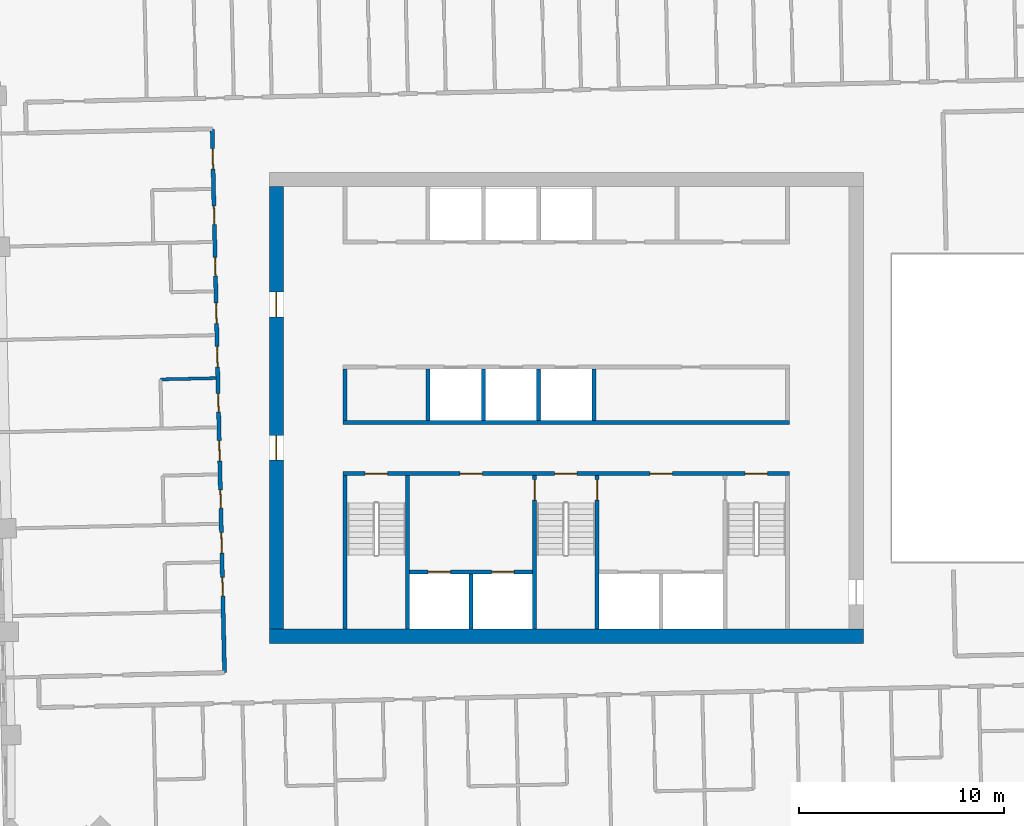
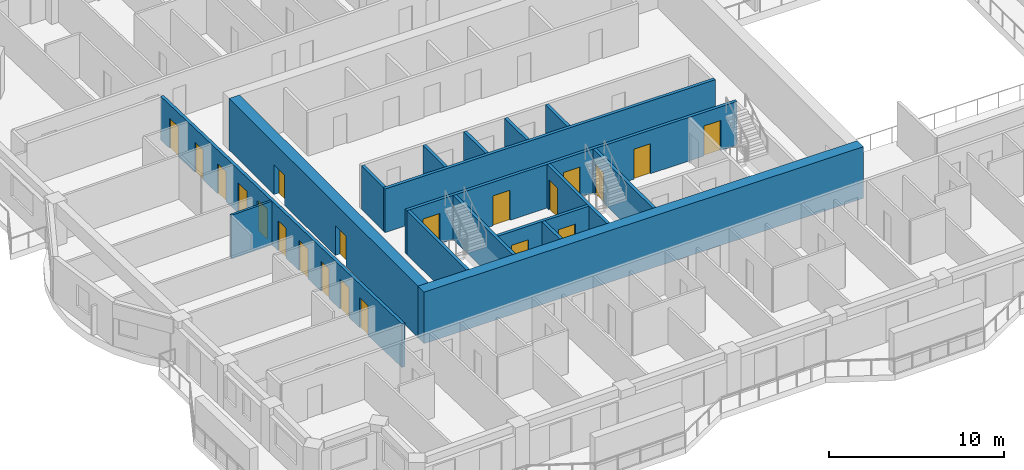
# One storey, part 7 of 18: 21 doors, 17 walls, 21 openings.
"""IFC4 building model written with IfcOpenShell, lengths in metres."""

from ifc_helpers import new_model, si_unit, direction, frame, frame_2d, origin, place, context, subcontext, project, spatial, rectangle, extrude, material, layer, layer_set, type_object, element, fill, save


model = new_model("IFC4")

# Units and contexts
model_context = context("Model", 3, precision=1e-05, world=origin(), true_north=direction((0.0, 1.0)))
body_context = subcontext(model_context, "Body", "Model", "MODEL_VIEW")
ifc_project = project(units=[si_unit("LENGTHUNIT", "METRE"), si_unit("AREAUNIT", "SQUARE_METRE"), si_unit("VOLUMEUNIT", "CUBIC_METRE"), si_unit("PLANEANGLEUNIT", "RADIAN"), si_unit("MASSUNIT", "GRAM", prefix="KILO")], contexts=[model_context])

# Site, building, storey
site_placement = place(None, origin())
site = spatial("IfcSite", under=ifc_project, at=site_placement, CompositionType="ELEMENT")
building_placement = place(site_placement, origin())
building = spatial("IfcBuilding", under=site, at=building_placement, Name="Mangrove Gate Tower", CompositionType="ELEMENT")
storey_placement = place(building_placement, frame((0.0, 0.0, 290.699951171875)))
storey = spatial("IfcBuildingStorey", under=building, at=storey_placement, Name="L74", CompositionType="ELEMENT", Elevation=290.699951171875)

# Walls
ifc_material_1 = material(Name="Concrete C32/40", Category="concrete")
ifc_layer_1 = layer(ifc_material_1, 0.199951171875)
ifc_layer_set_1 = layer_set([ifc_layer_1], Name="Core room wall 200 C32/40")
wall_type_1 = type_object("IfcWallType", Name="Core room wall 200 C32/40", PredefinedType="STANDARD", material=ifc_layer_set_1)
wall_1_placement = place(storey_placement, frame((-10.800048828125, -0.60009765625, 0.0), z_axis=(0.0, 0.0, 1.0), x_axis=(0.0, 1.0, 0.0)))
element("IfcWall", 1, at=wall_1_placement, inside=storey, type_object=wall_type_1, Name="WALL-L74-CORE-19", PredefinedType="STANDARD", context=body_context, shape_type="SweptSolid", body=[
    extrude(rectangle(XDim=2.5, YDim=0.199951171875, at=frame_2d((1.25, 0.0))), origin(), (0.0, 0.0, 1.0), 3.050048828125),
])
ifc_material_2 = material(Name="Concrete C50/60", Category="concrete")
ifc_layer_2 = layer(ifc_material_2, 0.199951171875)
ifc_layer_set_2 = layer_set([ifc_layer_2], Name="Core shaft wall 200 C50/60")
wall_type_2 = type_object("IfcWallType", Name="Core shaft wall 200 C50/60", PredefinedType="SHEAR", material=ifc_layer_set_2)
wall_2_placement = place(storey_placement, frame((-10.89990234375, -0.699951171875, 0.0), z_axis=(0.0, 0.0, 1.0), x_axis=(1.0, 0.0, 0.0)))
element("IfcWall", 2, at=wall_2_placement, inside=storey, type_object=wall_type_2, Name="WALL-L74-CORE-6", PredefinedType="SHEAR", context=body_context, shape_type="SweptSolid", body=[
    extrude(rectangle(XDim=21.7998046875, YDim=0.199951171875, at=frame_2d((10.89990234375, 0.0))), origin(), (0.0, 0.0, 1.0), 3.050048828125),
])

# Wall, openings, doors
wall_3_placement = place(storey_placement, frame((-7.64990234375, -8.0, 0.0), z_axis=(0.0, 0.0, 1.0), x_axis=(1.0, 0.0, 0.0)))
wall_3 = element("IfcWall", 3, at=wall_3_placement, inside=storey, type_object=wall_type_2, Name="WALL-L74-CORE-15", PredefinedType="SHEAR", context=body_context, shape_type="SweptSolid", body=[
    extrude(rectangle(XDim=6.0, YDim=0.199951171875, at=frame_2d((3.0, 0.0))), origin(), (0.0, 0.0, 1.0), 3.050048828125),
])
opening_1_placement = place(wall_3_placement, frame((0.89990234375, 0.0, 0.0)))
opening_1 = element("IfcOpeningElement", 4, at=opening_1_placement, cuts=wall_3, Name="Opening LD", PredefinedType="OPENING", context=body_context, shape_type="SweptSolid", body=[
    extrude(rectangle(XDim=1.10009765625, YDim=2.10009765625, at=frame_2d((0.550048828125, 1.050048828125))), frame((0.0, 0.10986328125, 0.0), z_axis=(0.0, -1.0, 0.0), x_axis=(1.0, 0.0, 0.0)), (0.0, 0.0, 1.0), 0.219970703125),
])
opening_2_placement = place(wall_3_placement, frame((4.0, 0.0, 0.0)))
opening_2 = element("IfcOpeningElement", 5, at=opening_2_placement, cuts=wall_3, Name="Opening LD", PredefinedType="OPENING", context=body_context, shape_type="SweptSolid", body=[
    extrude(rectangle(XDim=1.10009765625, YDim=2.10009765625, at=frame_2d((0.550048828125, 1.050048828125))), frame((0.0, 0.10986328125, 0.0), z_axis=(0.0, -1.0, 0.0), x_axis=(1.0, 0.0, 0.0)), (0.0, 0.0, 1.0), 0.219970703125),
])
ifc_material_3 = material(Name="Stainless steel 316", Category="steel")
door_type_1 = type_object("IfcDoorType", Name="Lift landing door 1100x2100", OperationType="SLIDING_TO_LEFT", PredefinedType="DOOR", material=ifc_material_3)
door_1_placement = place(opening_1_placement, origin())
door_1 = element("IfcDoor", 6, at=door_1_placement, inside=storey, type_object=door_type_1, Name="Landing door LD SVL1", OperationType="SLIDING_TO_LEFT", OverallHeight=2.10009765625, OverallWidth=1.10009765625, PredefinedType="DOOR", context=body_context, shape_type="SweptSolid", body=[
    extrude(rectangle(XDim=1.10009765625, YDim=2.10009765625, at=frame_2d((0.550048828125, 1.050048828125))), frame((0.0, 0.02490234375, 0.0), z_axis=(0.0, -1.0, 0.0), x_axis=(1.0, 0.0, 0.0)), (0.0, 0.0, 1.0), 0.050048828125),
])
fill(opening_1, door_1)
door_2_placement = place(opening_2_placement, origin())
door_2 = element("IfcDoor", 7, at=door_2_placement, inside=storey, type_object=door_type_1, Name="Landing door LD SVL2", OperationType="SLIDING_TO_LEFT", OverallHeight=2.10009765625, OverallWidth=1.10009765625, PredefinedType="DOOR", context=body_context, shape_type="SweptSolid", body=[
    extrude(rectangle(XDim=1.10009765625, YDim=2.10009765625, at=frame_2d((0.550048828125, 1.050048828125))), frame((0.0, 0.02490234375, 0.0), z_axis=(0.0, -1.0, 0.0), x_axis=(1.0, 0.0, 0.0)), (0.0, 0.0, 1.0), 0.050048828125),
])
fill(opening_2, door_2)

# Walls
wall_4_placement = place(storey_placement, frame((-4.64990234375, -10.800048828125, 0.0), z_axis=(0.0, 0.0, 1.0), x_axis=(0.0, 1.0, 0.0)))
element("IfcWall", 8, at=wall_4_placement, inside=storey, type_object=wall_type_2, Name="WALL-L74-CORE-16", PredefinedType="SHEAR", context=body_context, shape_type="SweptSolid", body=[
    extrude(rectangle(XDim=2.699951171875, YDim=0.199951171875, at=frame_2d((1.35009765625, 0.0))), origin(), (0.0, 0.0, 1.0), 3.050048828125),
])
for number, where, z_axis, x_axis, name in (
    (9, (-6.75, -0.60009765625, 0.0), (0.0, 0.0, 1.0), (0.0, 1.0, 0.0), "WALL-L74-CORE-20"),
    (10, (-4.050048828125, -0.60009765625, 0.0), (0.0, 0.0, 1.0), (0.0, 1.0, 0.0), "WALL-L74-CORE-21"),
    (11, (-1.35009765625, -0.60009765625, 0.0), (0.0, 0.0, 1.0), (0.0, 1.0, 0.0), "WALL-L74-CORE-22"),
    (12, (1.35009765625, -0.60009765625, 0.0), (0.0, 0.0, 1.0), (0.0, 1.0, 0.0), "WALL-L74-CORE-23"),
):
    element("IfcWall", number, at=place(storey_placement, frame(where, z_axis=z_axis, x_axis=x_axis)), inside=storey, type_object=wall_type_2, Name=name, PredefinedType="SHEAR", context=body_context, shape_type="SweptSolid", body=[
        extrude(rectangle(XDim=2.5, YDim=0.199951171875, at=frame_2d((1.25, 0.0))), origin(), (0.0, 0.0, 1.0), 3.050048828125),
    ])

# Wall, openings, doors
ifc_material_4 = material(Name="Concrete C50/60", Category="concrete")
ifc_layer_3 = layer(ifc_material_4, 0.199951171875)
ifc_layer_set_3 = layer_set([ifc_layer_3], Name="Core stair wall 200 C50/60")
wall_type_3 = type_object("IfcWallType", Name="Core stair wall 200 C50/60", PredefinedType="SHEAR", material=ifc_layer_set_3)
wall_5_placement = place(storey_placement, frame((-10.89990234375, -3.199951171875, 0.0), z_axis=(0.0, 0.0, 1.0), x_axis=(1.0, 0.0, 0.0)))
wall_5 = element("IfcWall", 13, at=wall_5_placement, inside=storey, type_object=wall_type_3, Name="WALL-L74-CORE-5", PredefinedType="SHEAR", context=body_context, shape_type="SweptSolid", body=[
    extrude(rectangle(XDim=21.7998046875, YDim=0.199951171875, at=frame_2d((10.89990234375, 0.0))), origin(), (0.0, 0.0, 1.0), 3.050048828125),
])
opening_3_placement = place(wall_5_placement, frame((1.074951171875, 0.0, 0.0)))
opening_3 = element("IfcOpeningElement", 14, at=opening_3_placement, cuts=wall_5, Name="Opening STD11", PredefinedType="OPENING", context=body_context, shape_type="SweptSolid", body=[
    extrude(rectangle(XDim=1.10009765625, YDim=2.10009765625, at=frame_2d((0.550048828125, 1.050048828125))), frame((0.0, 0.10986328125, 0.0), z_axis=(0.0, -1.0, 0.0), x_axis=(1.0, 0.0, 0.0)), (0.0, 0.0, 1.0), 0.219970703125),
])
opening_4_placement = place(wall_5_placement, frame((10.324951171875, 0.0, 0.0)))
opening_4 = element("IfcOpeningElement", 15, at=opening_4_placement, cuts=wall_5, Name="Opening STD11", PredefinedType="OPENING", context=body_context, shape_type="SweptSolid", body=[
    extrude(rectangle(XDim=1.10009765625, YDim=2.10009765625, at=frame_2d((0.550048828125, 1.050048828125))), frame((0.0, 0.10986328125, 0.0), z_axis=(0.0, -1.0, 0.0), x_axis=(1.0, 0.0, 0.0)), (0.0, 0.0, 1.0), 0.219970703125),
])
opening_5_placement = place(wall_5_placement, frame((19.625, 0.0, 0.0)))
opening_5 = element("IfcOpeningElement", 16, at=opening_5_placement, cuts=wall_5, Name="Opening STD11", PredefinedType="OPENING", context=body_context, shape_type="SweptSolid", body=[
    extrude(rectangle(XDim=1.10009765625, YDim=2.10009765625, at=frame_2d((0.550048828125, 1.050048828125))), frame((0.0, 0.10986328125, 0.0), z_axis=(0.0, -1.0, 0.0), x_axis=(1.0, 0.0, 0.0)), (0.0, 0.0, 1.0), 0.219970703125),
])
opening_6_placement = place(wall_5_placement, frame((5.699951171875, 0.0, 0.0)))
opening_6 = element("IfcOpeningElement", 17, at=opening_6_placement, cuts=wall_5, Name="Opening FL", PredefinedType="OPENING", context=body_context, shape_type="SweptSolid", body=[
    extrude(rectangle(XDim=1.10009765625, YDim=2.10009765625, at=frame_2d((0.550048828125, 1.050048828125))), frame((0.0, 0.10986328125, 0.0), z_axis=(0.0, -1.0, 0.0), x_axis=(1.0, 0.0, 0.0)), (0.0, 0.0, 1.0), 0.219970703125),
])
opening_7_placement = place(wall_5_placement, frame((14.97509765625, 0.0, 0.0)))
opening_7 = element("IfcOpeningElement", 18, at=opening_7_placement, cuts=wall_5, Name="Opening FL", PredefinedType="OPENING", context=body_context, shape_type="SweptSolid", body=[
    extrude(rectangle(XDim=1.10009765625, YDim=2.10009765625, at=frame_2d((0.550048828125, 1.050048828125))), frame((0.0, 0.10986328125, 0.0), z_axis=(0.0, -1.0, 0.0), x_axis=(1.0, 0.0, 0.0)), (0.0, 0.0, 1.0), 0.219970703125),
])
ifc_material_5 = material(Name="Fire-rated steel door set", Category="steel")
door_type_2 = type_object("IfcDoorType", Name="Lobby door FD60 1100x2100", OperationType="SINGLE_SWING_LEFT", PredefinedType="DOOR", material=ifc_material_5)
door_3_placement = place(opening_6_placement, origin())
door_3 = element("IfcDoor", 19, at=door_3_placement, inside=storey, type_object=door_type_2, Name="Lobby door service lobby", OperationType="SINGLE_SWING_LEFT", OverallHeight=2.10009765625, OverallWidth=1.10009765625, PredefinedType="DOOR", context=body_context, shape_type="SweptSolid", body=[
    extrude(rectangle(XDim=1.10009765625, YDim=2.10009765625, at=frame_2d((0.550048828125, 1.050048828125))), frame((0.0, 0.02490234375, 0.0), z_axis=(0.0, -1.0, 0.0), x_axis=(1.0, 0.0, 0.0)), (0.0, 0.0, 1.0), 0.050048828125),
])
fill(opening_6, door_3)
door_4_placement = place(opening_7_placement, origin())
door_4 = element("IfcDoor", 20, at=door_4_placement, inside=storey, type_object=door_type_2, Name="Lobby door fire-fighting lobby", OperationType="SINGLE_SWING_LEFT", OverallHeight=2.10009765625, OverallWidth=1.10009765625, PredefinedType="DOOR", context=body_context, shape_type="SweptSolid", body=[
    extrude(rectangle(XDim=1.10009765625, YDim=2.10009765625, at=frame_2d((0.550048828125, 1.050048828125))), frame((0.0, 0.02490234375, 0.0), z_axis=(0.0, -1.0, 0.0), x_axis=(1.0, 0.0, 0.0)), (0.0, 0.0, 1.0), 0.050048828125),
])
fill(opening_7, door_4)
ifc_material_6 = material(Name="Fire-rated steel door set", Category="steel")
door_type_3 = type_object("IfcDoorType", Name="Stair door FD60 1100x2100", OperationType="SINGLE_SWING_RIGHT", PredefinedType="DOOR", material=ifc_material_6)
door_5_placement = place(opening_3_placement, origin())
door_5 = element("IfcDoor", 21, at=door_5_placement, inside=storey, type_object=door_type_3, Name="Stair door Stair 1", OperationType="SINGLE_SWING_RIGHT", OverallHeight=2.10009765625, OverallWidth=1.10009765625, PredefinedType="DOOR", context=body_context, shape_type="SweptSolid", body=[
    extrude(rectangle(XDim=1.10009765625, YDim=2.10009765625, at=frame_2d((0.550048828125, 1.050048828125))), frame((0.0, 0.02490234375, 0.0), z_axis=(0.0, -1.0, 0.0), x_axis=(1.0, 0.0, 0.0)), (0.0, 0.0, 1.0), 0.050048828125),
])
fill(opening_3, door_5)
door_6_placement = place(opening_4_placement, origin())
door_6 = element("IfcDoor", 22, at=door_6_placement, inside=storey, type_object=door_type_3, Name="Stair door Stair 2", OperationType="SINGLE_SWING_RIGHT", OverallHeight=2.10009765625, OverallWidth=1.10009765625, PredefinedType="DOOR", context=body_context, shape_type="SweptSolid", body=[
    extrude(rectangle(XDim=1.10009765625, YDim=2.10009765625, at=frame_2d((0.550048828125, 1.050048828125))), frame((0.0, 0.02490234375, 0.0), z_axis=(0.0, -1.0, 0.0), x_axis=(1.0, 0.0, 0.0)), (0.0, 0.0, 1.0), 0.050048828125),
])
fill(opening_4, door_6)
door_7_placement = place(opening_5_placement, origin())
door_7 = element("IfcDoor", 23, at=door_7_placement, inside=storey, type_object=door_type_3, Name="Stair door Stair 3", OperationType="SINGLE_SWING_RIGHT", OverallHeight=2.10009765625, OverallWidth=1.10009765625, PredefinedType="DOOR", context=body_context, shape_type="SweptSolid", body=[
    extrude(rectangle(XDim=1.10009765625, YDim=2.10009765625, at=frame_2d((0.550048828125, 1.050048828125))), frame((0.0, 0.02490234375, 0.0), z_axis=(0.0, -1.0, 0.0), x_axis=(1.0, 0.0, 0.0)), (0.0, 0.0, 1.0), 0.050048828125),
])
fill(opening_5, door_7)

# Walls
for number, where, z_axis, x_axis, name in (
    (24, (-10.800048828125, -10.800048828125, 0.0), (0.0, 0.0, 1.0), (0.0, 1.0, 0.0), "WALL-L74-CORE-9"),
    (25, (-7.75, -10.800048828125, 0.0), (0.0, 0.0, 1.0), (0.0, 1.0, 0.0), "WALL-L74-CORE-10"),
):
    element("IfcWall", number, at=place(storey_placement, frame(where, z_axis=z_axis, x_axis=x_axis)), inside=storey, type_object=wall_type_3, Name=name, PredefinedType="SHEAR", context=body_context, shape_type="SweptSolid", body=[
        extrude(rectangle(XDim=7.5, YDim=0.199951171875, at=frame_2d((3.75, 0.0))), origin(), (0.0, 0.0, 1.0), 3.050048828125),
    ])

# Wall, opening, door
wall_6_placement = place(storey_placement, frame((-1.550048828125, -10.800048828125, 0.0), z_axis=(0.0, 0.0, 1.0), x_axis=(0.0, 1.0, 0.0)))
wall_6 = element("IfcWall", 26, at=wall_6_placement, inside=storey, type_object=wall_type_3, Name="WALL-L74-CORE-11", PredefinedType="SHEAR", context=body_context, shape_type="SweptSolid", body=[
    extrude(rectangle(XDim=7.5, YDim=0.199951171875, at=frame_2d((3.75, 0.0))), origin(), (0.0, 0.0, 1.0), 3.050048828125),
])
opening_8_placement = place(wall_6_placement, frame((6.300048828125, 0.0, 0.0)))
opening_8 = element("IfcOpeningElement", 27, at=opening_8_placement, cuts=wall_6, Name="Opening STD10", PredefinedType="OPENING", context=body_context, shape_type="SweptSolid", body=[
    extrude(rectangle(XDim=1.0, YDim=2.10009765625, at=frame_2d((0.5, 1.050048828125))), frame((0.0, 0.10986328125, 0.0), z_axis=(0.0, -1.0, 0.0), x_axis=(1.0, 0.0, 0.0)), (0.0, 0.0, 1.0), 0.219970703125),
])
ifc_material_7 = material(Name="Fire-rated steel door set", Category="steel")
door_type_4 = type_object("IfcDoorType", Name="Stair door FD60 1000x2100", OperationType="SINGLE_SWING_RIGHT", PredefinedType="DOOR", material=ifc_material_7)
door_8_placement = place(opening_8_placement, origin())
door_8 = element("IfcDoor", 28, at=door_8_placement, inside=storey, type_object=door_type_4, Name="Stair door Stair 2 from service lobby", OperationType="SINGLE_SWING_RIGHT", OverallHeight=2.10009765625, OverallWidth=1.0, PredefinedType="DOOR", context=body_context, shape_type="SweptSolid", body=[
    extrude(rectangle(XDim=1.0, YDim=2.10009765625, at=frame_2d((0.5, 1.050048828125))), frame((0.0, 0.02490234375, 0.0), z_axis=(0.0, -1.0, 0.0), x_axis=(1.0, 0.0, 0.0)), (0.0, 0.0, 1.0), 0.050048828125),
])
fill(opening_8, door_8)

wall_7_placement = place(storey_placement, frame((1.5, -10.800048828125, 0.0), z_axis=(0.0, 0.0, 1.0), x_axis=(0.0, 1.0, 0.0)))
wall_7 = element("IfcWall", 29, at=wall_7_placement, inside=storey, type_object=wall_type_3, Name="WALL-L74-CORE-12", PredefinedType="SHEAR", context=body_context, shape_type="SweptSolid", body=[
    extrude(rectangle(XDim=7.5, YDim=0.199951171875, at=frame_2d((3.75, 0.0))), origin(), (0.0, 0.0, 1.0), 3.050048828125),
])
opening_9_placement = place(wall_7_placement, frame((6.300048828125, 0.0, 0.0)))
opening_9 = element("IfcOpeningElement", 30, at=opening_9_placement, cuts=wall_7, Name="Opening STD10", PredefinedType="OPENING", context=body_context, shape_type="SweptSolid", body=[
    extrude(rectangle(XDim=1.0, YDim=2.10009765625, at=frame_2d((0.5, 1.050048828125))), frame((0.0, 0.10986328125, 0.0), z_axis=(0.0, -1.0, 0.0), x_axis=(1.0, 0.0, 0.0)), (0.0, 0.0, 1.0), 0.219970703125),
])
door_9_placement = place(opening_9_placement, origin())
door_9 = element("IfcDoor", 31, at=door_9_placement, inside=storey, type_object=door_type_4, Name="Stair door Stair 2 from fire-fighting lobby", OperationType="SINGLE_SWING_RIGHT", OverallHeight=2.10009765625, OverallWidth=1.0, PredefinedType="DOOR", context=body_context, shape_type="SweptSolid", body=[
    extrude(rectangle(XDim=1.0, YDim=2.10009765625, at=frame_2d((0.5, 1.050048828125))), frame((0.0, 0.02490234375, 0.0), z_axis=(0.0, -1.0, 0.0), x_axis=(1.0, 0.0, 0.0)), (0.0, 0.0, 1.0), 0.050048828125),
])
fill(opening_9, door_9)

# Wall
ifc_material_8 = material(Name="Concrete C50/60", Category="concrete")
ifc_layer_4 = layer(ifc_material_8, 0.699951171875)
ifc_layer_set_4 = layer_set([ifc_layer_4], Name="Core wall 700 C50/60")
wall_type_4 = type_object("IfcWallType", Name="Core wall 700 C50/60", PredefinedType="SHEAR", material=ifc_layer_set_4)
wall_8_placement = place(storey_placement, frame((-14.5, -11.14990234375, 0.0), z_axis=(0.0, 0.0, 1.0), x_axis=(1.0, 0.0, 0.0)))
element("IfcWall", 32, at=wall_8_placement, inside=storey, type_object=wall_type_4, Name="WALL-L74-CORE-1", PredefinedType="SHEAR", context=body_context, shape_type="SweptSolid", body=[
    extrude(rectangle(XDim=29.0, YDim=0.699951171875, at=frame_2d((14.5, 0.0))), origin(), (0.0, 0.0, 1.0), 3.60009765625),
])

# Wall, openings, doors
wall_9_placement = place(storey_placement, frame((-14.14990234375, -10.800048828125, 0.0), z_axis=(0.0, 0.0, 1.0), x_axis=(0.0, 1.0, 0.0)))
wall_9 = element("IfcWall", 33, at=wall_9_placement, inside=storey, type_object=wall_type_4, Name="WALL-L74-CORE-3", PredefinedType="SHEAR", context=body_context, shape_type="SweptSolid", body=[
    extrude(rectangle(XDim=21.60009765625, YDim=0.699951171875, at=frame_2d((10.800048828125, 0.0))), origin(), (0.0, 0.0, 1.0), 3.60009765625),
])
opening_10_placement = place(wall_9_placement, frame((8.25, 0.0, 0.0)))
opening_10 = element("IfcOpeningElement", 34, at=opening_10_placement, cuts=wall_9, Name="Opening CD", PredefinedType="OPENING", context=body_context, shape_type="SweptSolid", body=[
    extrude(rectangle(XDim=1.199951171875, YDim=2.10009765625, at=frame_2d((0.60009765625, 1.050048828125))), frame((0.0, 0.35986328125, 0.0), z_axis=(0.0, -1.0, 0.0), x_axis=(1.0, 0.0, 0.0)), (0.0, 0.0, 1.0), 0.719970703125),
])
opening_11_placement = place(wall_9_placement, frame((15.25, 0.0, 0.0)))
opening_11 = element("IfcOpeningElement", 35, at=opening_11_placement, cuts=wall_9, Name="Opening CD", PredefinedType="OPENING", context=body_context, shape_type="SweptSolid", body=[
    extrude(rectangle(XDim=1.199951171875, YDim=2.10009765625, at=frame_2d((0.60009765625, 1.050048828125))), frame((0.0, 0.35986328125, 0.0), z_axis=(0.0, -1.0, 0.0), x_axis=(1.0, 0.0, 0.0)), (0.0, 0.0, 1.0), 0.719970703125),
])
ifc_material_9 = material(Name="Fire-rated steel door set", Category="steel")
door_type_5 = type_object("IfcDoorType", Name="Core ring door FD60 1200x2100", OperationType="DOUBLE_DOOR_SINGLE_SWING", PredefinedType="DOOR", material=ifc_material_9)
door_10_placement = place(opening_10_placement, origin())
door_10 = element("IfcDoor", 36, at=door_10_placement, inside=storey, type_object=door_type_5, Name="Core ring door W1", OperationType="DOUBLE_DOOR_SINGLE_SWING", OverallHeight=2.10009765625, OverallWidth=1.199951171875, PredefinedType="DOOR", context=body_context, shape_type="SweptSolid", body=[
    extrude(rectangle(XDim=1.199951171875, YDim=2.10009765625, at=frame_2d((0.60009765625, 1.050048828125))), frame((0.0, 0.02490234375, 0.0), z_axis=(0.0, -1.0, 0.0), x_axis=(1.0, 0.0, 0.0)), (0.0, 0.0, 1.0), 0.050048828125),
])
fill(opening_10, door_10)
door_11_placement = place(opening_11_placement, origin())
door_11 = element("IfcDoor", 37, at=door_11_placement, inside=storey, type_object=door_type_5, Name="Core ring door W2", OperationType="DOUBLE_DOOR_SINGLE_SWING", OverallHeight=2.10009765625, OverallWidth=1.199951171875, PredefinedType="DOOR", context=body_context, shape_type="SweptSolid", body=[
    extrude(rectangle(XDim=1.199951171875, YDim=2.10009765625, at=frame_2d((0.60009765625, 1.050048828125))), frame((0.0, 0.02490234375, 0.0), z_axis=(0.0, -1.0, 0.0), x_axis=(1.0, 0.0, 0.0)), (0.0, 0.0, 1.0), 0.050048828125),
])
fill(opening_11, door_11)

ifc_material_10 = material(Name="Gypsum board on steel stud, EI 60", Category="steel")
ifc_layer_5 = layer(ifc_material_10, 0.199951171875)
ifc_layer_set_5 = layer_set([ifc_layer_5], Name="Corridor wall EI 60")
wall_type_5 = type_object("IfcWallType", Name="Corridor wall EI 60", PredefinedType="PARTITIONING", material=ifc_layer_set_5)
wall_10_placement = place(storey_placement, frame((-16.68408203125, -12.9189453125, 0.0), z_axis=(0.0, 0.0, 1.0), x_axis=(-0.022712214871, 0.999742044377, 0.0)))
wall_10 = element("IfcWall", 38, at=wall_10_placement, inside=storey, type_object=wall_type_5, Name="WALL-L74-034", PredefinedType="PARTITIONING", context=body_context, shape_type="SweptSolid", body=[
    extrude(rectangle(XDim=26.55078125, YDim=0.199951171875, at=frame_2d((13.275390625, 0.0))), origin(), (0.0, 0.0, 1.0), 3.050048828125),
])
opening_12_placement = place(wall_10_placement, frame((24.587890625, 0.0, 0.0)))
opening_12 = element("IfcOpeningElement", 39, at=opening_12_placement, cuts=wall_10, Name="Opening AD", PredefinedType="OPENING", context=body_context, shape_type="SweptSolid", body=[
    extrude(rectangle(XDim=1.0, YDim=2.10009765625, at=frame_2d((0.5, 1.050048828125))), frame((0.0, 0.10986328125, 0.0), z_axis=(0.0, -1.0, 0.0), x_axis=(1.0, 0.0, 0.0)), (0.0, 0.0, 1.0), 0.219970703125),
])
opening_13_placement = place(wall_10_placement, frame((21.875, 0.0, 0.0)))
opening_13 = element("IfcOpeningElement", 40, at=opening_13_placement, cuts=wall_10, Name="Opening SD", PredefinedType="OPENING", context=body_context, shape_type="SweptSolid", body=[
    extrude(rectangle(XDim=0.89990234375, YDim=2.10009765625, at=frame_2d((0.449951171875, 1.050048828125))), frame((0.0, 0.10986328125, 0.0), z_axis=(0.0, -1.0, 0.0), x_axis=(1.0, 0.0, 0.0)), (0.0, 0.0, 1.0), 0.219970703125),
])
opening_14_placement = place(wall_10_placement, frame((17.050048828125, 0.0, 0.0)))
opening_14 = element("IfcOpeningElement", 41, at=opening_14_placement, cuts=wall_10, Name="Opening AD", PredefinedType="OPENING", context=body_context, shape_type="SweptSolid", body=[
    extrude(rectangle(XDim=1.0, YDim=2.10009765625, at=frame_2d((0.5, 1.050048828125))), frame((0.0, 0.10986328125, 0.0), z_axis=(0.0, -1.0, 0.0), x_axis=(1.0, 0.0, 0.0)), (0.0, 0.0, 1.0), 0.219970703125),
])
opening_15_placement = place(wall_10_placement, frame((19.375, 0.0, 0.0)))
opening_15 = element("IfcOpeningElement", 42, at=opening_15_placement, cuts=wall_10, Name="Opening SD", PredefinedType="OPENING", context=body_context, shape_type="SweptSolid", body=[
    extrude(rectangle(XDim=0.89990234375, YDim=2.10009765625, at=frame_2d((0.449951171875, 1.050048828125))), frame((0.0, 0.10986328125, 0.0), z_axis=(0.0, -1.0, 0.0), x_axis=(1.0, 0.0, 0.0)), (0.0, 0.0, 1.0), 0.219970703125),
])
opening_16_placement = place(wall_10_placement, frame((14.925048828125, 0.0, 0.0)))
opening_16 = element("IfcOpeningElement", 43, at=opening_16_placement, cuts=wall_10, Name="Opening AD", PredefinedType="OPENING", context=body_context, shape_type="SweptSolid", body=[
    extrude(rectangle(XDim=1.0, YDim=2.10009765625, at=frame_2d((0.5, 1.050048828125))), frame((0.0, 0.10986328125, 0.0), z_axis=(0.0, -1.0, 0.0), x_axis=(1.0, 0.0, 0.0)), (0.0, 0.0, 1.0), 0.219970703125),
])
opening_17_placement = place(wall_10_placement, frame((12.72509765625, 0.0, 0.0)))
opening_17 = element("IfcOpeningElement", 44, at=opening_17_placement, cuts=wall_10, Name="Opening SD", PredefinedType="OPENING", context=body_context, shape_type="SweptSolid", body=[
    extrude(rectangle(XDim=0.89990234375, YDim=2.10009765625, at=frame_2d((0.449951171875, 1.050048828125))), frame((0.0, 0.10986328125, 0.0), z_axis=(0.0, -1.0, 0.0), x_axis=(1.0, 0.0, 0.0)), (0.0, 0.0, 1.0), 0.219970703125),
])
opening_18_placement = place(wall_10_placement, frame((10.324951171875, 0.0, 0.0)))
opening_18 = element("IfcOpeningElement", 45, at=opening_18_placement, cuts=wall_10, Name="Opening AD", PredefinedType="OPENING", context=body_context, shape_type="SweptSolid", body=[
    extrude(rectangle(XDim=1.0, YDim=2.10009765625, at=frame_2d((0.5, 1.050048828125))), frame((0.0, 0.10986328125, 0.0), z_axis=(0.0, -1.0, 0.0), x_axis=(1.0, 0.0, 0.0)), (0.0, 0.0, 1.0), 0.219970703125),
])
opening_19_placement = place(wall_10_placement, frame((8.02490234375, 0.0, 0.0)))
opening_19 = element("IfcOpeningElement", 46, at=opening_19_placement, cuts=wall_10, Name="Opening SD", PredefinedType="OPENING", context=body_context, shape_type="SweptSolid", body=[
    extrude(rectangle(XDim=0.89990234375, YDim=2.10009765625, at=frame_2d((0.449951171875, 1.050048828125))), frame((0.0, 0.10986328125, 0.0), z_axis=(0.0, -1.0, 0.0), x_axis=(1.0, 0.0, 0.0)), (0.0, 0.0, 1.0), 0.219970703125),
])
opening_20_placement = place(wall_10_placement, frame((5.8369140625, 0.0, 0.0)))
opening_20 = element("IfcOpeningElement", 47, at=opening_20_placement, cuts=wall_10, Name="Opening AD", PredefinedType="OPENING", context=body_context, shape_type="SweptSolid", body=[
    extrude(rectangle(XDim=1.0, YDim=2.10009765625, at=frame_2d((0.5, 1.050048828125))), frame((0.0, 0.10986328125, 0.0), z_axis=(0.0, -1.0, 0.0), x_axis=(1.0, 0.0, 0.0)), (0.0, 0.0, 1.0), 0.219970703125),
])
opening_21_placement = place(wall_10_placement, frame((3.75, 0.0, 0.0)))
opening_21 = element("IfcOpeningElement", 48, at=opening_21_placement, cuts=wall_10, Name="Opening SD", PredefinedType="OPENING", context=body_context, shape_type="SweptSolid", body=[
    extrude(rectangle(XDim=0.89990234375, YDim=2.10009765625, at=frame_2d((0.449951171875, 1.050048828125))), frame((0.0, 0.10986328125, 0.0), z_axis=(0.0, -1.0, 0.0), x_axis=(1.0, 0.0, 0.0)), (0.0, 0.0, 1.0), 0.219970703125),
])
ifc_material_11 = material(Name="Timber door leaf", Category="wood")
door_type_6 = type_object("IfcDoorType", Name="Amenity door 1000", OperationType="SINGLE_SWING_LEFT", PredefinedType="DOOR", material=ifc_material_11)
door_12_placement = place(opening_12_placement, origin())
door_12 = element("IfcDoor", 49, at=door_12_placement, inside=storey, type_object=door_type_6, Name="DOOR-L74-KIT-c5a", OperationType="SINGLE_SWING_LEFT", OverallHeight=2.10009765625, OverallWidth=1.0, PredefinedType="DOOR", context=body_context, shape_type="SweptSolid", body=[
    extrude(rectangle(XDim=1.0, YDim=2.10009765625, at=frame_2d((0.5, 1.050048828125))), frame((0.0, 0.02490234375, 0.0), z_axis=(0.0, -1.0, 0.0), x_axis=(1.0, 0.0, 0.0)), (0.0, 0.0, 1.0), 0.050048828125),
])
fill(opening_12, door_12)
door_13_placement = place(opening_14_placement, origin())
door_13 = element("IfcDoor", 50, at=door_13_placement, inside=storey, type_object=door_type_6, Name="DOOR-L74-KIT-c5b", OperationType="SINGLE_SWING_RIGHT", OverallHeight=2.10009765625, OverallWidth=1.0, PredefinedType="DOOR", context=body_context, shape_type="SweptSolid", body=[
    extrude(rectangle(XDim=1.0, YDim=2.10009765625, at=frame_2d((0.5, 1.050048828125))), frame((0.0, 0.02490234375, 0.0), z_axis=(0.0, -1.0, 0.0), x_axis=(1.0, 0.0, 0.0)), (0.0, 0.0, 1.0), 0.050048828125),
])
fill(opening_14, door_13)
door_14_placement = place(opening_16_placement, origin())
door_14 = element("IfcDoor", 51, at=door_14_placement, inside=storey, type_object=door_type_6, Name="DOOR-L74-KIT-c5c", OperationType="SINGLE_SWING_LEFT", OverallHeight=2.10009765625, OverallWidth=1.0, PredefinedType="DOOR", context=body_context, shape_type="SweptSolid", body=[
    extrude(rectangle(XDim=1.0, YDim=2.10009765625, at=frame_2d((0.5, 1.050048828125))), frame((0.0, 0.02490234375, 0.0), z_axis=(0.0, -1.0, 0.0), x_axis=(1.0, 0.0, 0.0)), (0.0, 0.0, 1.0), 0.050048828125),
])
fill(opening_16, door_14)
door_15_placement = place(opening_18_placement, origin())
door_15 = element("IfcDoor", 52, at=door_15_placement, inside=storey, type_object=door_type_6, Name="DOOR-L74-GAM-c5a", OperationType="SINGLE_SWING_RIGHT", OverallHeight=2.10009765625, OverallWidth=1.0, PredefinedType="DOOR", context=body_context, shape_type="SweptSolid", body=[
    extrude(rectangle(XDim=1.0, YDim=2.10009765625, at=frame_2d((0.5, 1.050048828125))), frame((0.0, 0.02490234375, 0.0), z_axis=(0.0, -1.0, 0.0), x_axis=(1.0, 0.0, 0.0)), (0.0, 0.0, 1.0), 0.050048828125),
])
fill(opening_18, door_15)
door_16_placement = place(opening_20_placement, origin())
door_16 = element("IfcDoor", 53, at=door_16_placement, inside=storey, type_object=door_type_6, Name="DOOR-L74-LNG-c5a", OperationType="SINGLE_SWING_LEFT", OverallHeight=2.10009765625, OverallWidth=1.0, PredefinedType="DOOR", context=body_context, shape_type="SweptSolid", body=[
    extrude(rectangle(XDim=1.0, YDim=2.10009765625, at=frame_2d((0.5, 1.050048828125))), frame((0.0, 0.02490234375, 0.0), z_axis=(0.0, -1.0, 0.0), x_axis=(1.0, 0.0, 0.0)), (0.0, 0.0, 1.0), 0.050048828125),
])
fill(opening_20, door_16)
ifc_material_12 = material(Name="Timber door leaf", Category="wood")
door_type_7 = type_object("IfcDoorType", Name="Service room door 900", OperationType="SINGLE_SWING_LEFT", PredefinedType="DOOR", material=ifc_material_12)
door_17_placement = place(opening_13_placement, origin())
door_17 = element("IfcDoor", 54, at=door_17_placement, inside=storey, type_object=door_type_7, Name="DOOR-L74-AWC-c5a", OperationType="SINGLE_SWING_LEFT", OverallHeight=2.10009765625, OverallWidth=0.89990234375, PredefinedType="DOOR", context=body_context, shape_type="SweptSolid", body=[
    extrude(rectangle(XDim=0.89990234375, YDim=2.10009765625, at=frame_2d((0.449951171875, 1.050048828125))), frame((0.0, 0.02490234375, 0.0), z_axis=(0.0, -1.0, 0.0), x_axis=(1.0, 0.0, 0.0)), (0.0, 0.0, 1.0), 0.050048828125),
])
fill(opening_13, door_17)
door_18_placement = place(opening_15_placement, origin())
door_18 = element("IfcDoor", 55, at=door_18_placement, inside=storey, type_object=door_type_7, Name="DOOR-L74-LIN-c5a", OperationType="SINGLE_SWING_RIGHT", OverallHeight=2.10009765625, OverallWidth=0.89990234375, PredefinedType="DOOR", context=body_context, shape_type="SweptSolid", body=[
    extrude(rectangle(XDim=0.89990234375, YDim=2.10009765625, at=frame_2d((0.449951171875, 1.050048828125))), frame((0.0, 0.02490234375, 0.0), z_axis=(0.0, -1.0, 0.0), x_axis=(1.0, 0.0, 0.0)), (0.0, 0.0, 1.0), 0.050048828125),
])
fill(opening_15, door_18)
door_19_placement = place(opening_17_placement, origin())
door_19 = element("IfcDoor", 56, at=door_19_placement, inside=storey, type_object=door_type_7, Name="DOOR-L74-WC-c5a", OperationType="SINGLE_SWING_LEFT", OverallHeight=2.10009765625, OverallWidth=0.89990234375, PredefinedType="DOOR", context=body_context, shape_type="SweptSolid", body=[
    extrude(rectangle(XDim=0.89990234375, YDim=2.10009765625, at=frame_2d((0.449951171875, 1.050048828125))), frame((0.0, 0.02490234375, 0.0), z_axis=(0.0, -1.0, 0.0), x_axis=(1.0, 0.0, 0.0)), (0.0, 0.0, 1.0), 0.050048828125),
])
fill(opening_17, door_19)
door_20_placement = place(opening_19_placement, origin())
door_20 = element("IfcDoor", 57, at=door_20_placement, inside=storey, type_object=door_type_7, Name="DOOR-L74-WC-c5b", OperationType="SINGLE_SWING_RIGHT", OverallHeight=2.10009765625, OverallWidth=0.89990234375, PredefinedType="DOOR", context=body_context, shape_type="SweptSolid", body=[
    extrude(rectangle(XDim=0.89990234375, YDim=2.10009765625, at=frame_2d((0.449951171875, 1.050048828125))), frame((0.0, 0.02490234375, 0.0), z_axis=(0.0, -1.0, 0.0), x_axis=(1.0, 0.0, 0.0)), (0.0, 0.0, 1.0), 0.050048828125),
])
fill(opening_19, door_20)
door_21_placement = place(opening_21_placement, origin())
door_21 = element("IfcDoor", 58, at=door_21_placement, inside=storey, type_object=door_type_7, Name="DOOR-L74-WC-c5c", OperationType="SINGLE_SWING_LEFT", OverallHeight=2.10009765625, OverallWidth=0.89990234375, PredefinedType="DOOR", context=body_context, shape_type="SweptSolid", body=[
    extrude(rectangle(XDim=0.89990234375, YDim=2.10009765625, at=frame_2d((0.449951171875, 1.050048828125))), frame((0.0, 0.02490234375, 0.0), z_axis=(0.0, -1.0, 0.0), x_axis=(1.0, 0.0, 0.0)), (0.0, 0.0, 1.0), 0.050048828125),
])
fill(opening_21, door_21)

# Wall
ifc_material_13 = material(Name="Gypsum board on steel stud, EI 60", Category="steel")
ifc_layer_6 = layer(ifc_material_13, 0.14990234375)
ifc_layer_set_6 = layer_set([ifc_layer_6], Name="Party wall 150 EI 60")
wall_type_6 = type_object("IfcWallType", Name="Party wall 150 EI 60", PredefinedType="PARTITIONING", material=ifc_layer_set_6)
wall_11_placement = place(storey_placement, frame((-19.804931640625, 1.39404296875, 0.0), z_axis=(0.0, 0.0, 1.0), x_axis=(0.999736346258, 0.022961663075, 0.0)))
element("IfcWall", 59, at=wall_11_placement, inside=storey, type_object=wall_type_6, Name="WALL-L74-046", PredefinedType="PARTITIONING", context=body_context, shape_type="SweptSolid", body=[
    extrude(rectangle(XDim=2.70068359375, YDim=0.14990234375, at=frame_2d((1.350341796875, 0.0))), origin(), (0.0, 0.0, 1.0), 3.050048828125),
])

save(model, "model.ifc")
